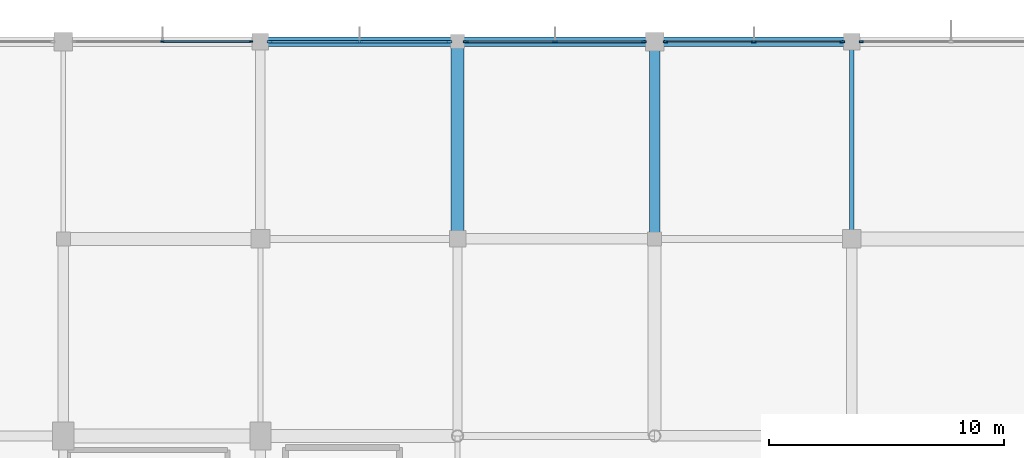
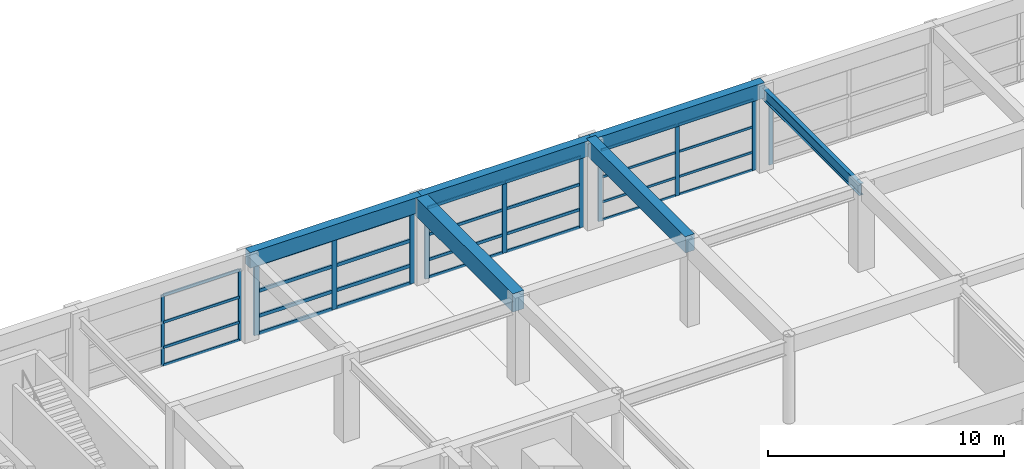
# One storey, part 32 of 62: 40 members, 6 beams, 5 elements without a shape of their own.
"""IFC4 building model written with IfcOpenShell, lengths in metres."""

from ifc_helpers import new_model, si_unit, direction, frame, origin, origin_2d, place, context, subcontext, project, spatial, rectangle, i_section, extrude, material, material_profile, profile_set, type_object, element, aggregate, save


model = new_model("IFC4")

# Units and contexts
model_context = context("Model", 3, precision=1e-05, world=origin(), true_north=direction((0.0, 1.0)))
body_context = subcontext(model_context, "Body", "Model", "MODEL_VIEW")
ifc_project = project(units=[si_unit("LENGTHUNIT", "METRE"), si_unit("AREAUNIT", "SQUARE_METRE"), si_unit("VOLUMEUNIT", "CUBIC_METRE"), si_unit("PLANEANGLEUNIT", "RADIAN"), si_unit("MASSUNIT", "GRAM", prefix="KILO")], contexts=[model_context])

# Site, building, storey
site_placement = place(None, origin())
site = spatial("IfcSite", under=ifc_project, at=site_placement, CompositionType="ELEMENT")
building_placement = place(site_placement, origin())
building = spatial("IfcBuilding", under=site, at=building_placement, Name="Xuanlan Plaza Opera House", CompositionType="ELEMENT")
storey_placement = place(building_placement, frame((0.0, 0.0, 14.39990234375)))
storey = spatial("IfcBuildingStorey", under=building, at=storey_placement, Name="L03", CompositionType="ELEMENT", Elevation=14.39990234375)

# Curtain wall, members
ifc_material_1 = material(Name="Anodised Aluminium 6063-T6 and Low-E Glass", Category="aluminium")
curtain_wall_type_1 = type_object("IfcCurtainWallType", Name="ENV-CW-CW-05", PredefinedType="USERDEFINED", material=ifc_material_1)
curtain_wall_1_placement = place(storey_placement, origin())
curtain_wall_1 = element("IfcCurtainWall", 1, at=curtain_wall_1_placement, inside=storey, type_object=curtain_wall_type_1, Name="Acoustic Glazed Wall L03-036", ObjectType="ACOUSTIC GLAZED WALL", PredefinedType="USERDEFINED")
ifc_material_2 = material(Name="Anodised Aluminium 6063-T6", Category="aluminium")
ifc_material_profile_1 = material_profile(ifc_material_2, rectangle(XDim=0.06494140625, YDim=0.159912109375, at=origin_2d()), Name="ALU-M 65x160")
ifc_profile_set_1 = profile_set([ifc_material_profile_1], Name="Anodised Aluminium 6063-T6")
member_type_1 = type_object("IfcMemberType", Name="ENV-CWM-01", PredefinedType="MULLION", material=ifc_profile_set_1)
member_1_placement = place(storey_placement, frame((100.3974609375, 100.800048828125, 0.0), z_axis=(0.0, 0.0, 1.0), x_axis=(0.0, -1.0, 0.0)))
member_1 = element("IfcMember", 2, at=member_1_placement, type_object=member_type_1, Name="CW-05 mullion 1", PredefinedType="MULLION", context=body_context, shape_type="SweptSolid", body=[
    extrude(rectangle(XDim=0.06494140625, YDim=0.159912109375, at=origin_2d()), origin(), (0.0, 0.0, 1.0), 3.68017578125),
])
member_2_placement = place(storey_placement, frame((96.625, 100.800048828125, 0.0), z_axis=(0.0, 0.0, 1.0), x_axis=(0.0, -1.0, 0.0)))
member_2 = element("IfcMember", 3, at=member_2_placement, type_object=member_type_1, Name="CW-05 mullion 2", PredefinedType="MULLION", context=body_context, shape_type="SweptSolid", body=[
    extrude(rectangle(XDim=0.06494140625, YDim=0.159912109375, at=origin_2d()), origin(), (0.0, 0.0, 1.0), 3.68017578125),
])

# Curtain wall, member
curtain_wall_2_placement = place(storey_placement, origin())
curtain_wall_2 = element("IfcCurtainWall", 4, at=curtain_wall_2_placement, inside=storey, type_object=curtain_wall_type_1, Name="Acoustic Glazed Wall L03-032", ObjectType="ACOUSTIC GLAZED WALL", PredefinedType="USERDEFINED")
ifc_material_profile_2 = material_profile(ifc_material_2, rectangle(XDim=0.070068359375, YDim=0.179931640625, at=origin_2d()), Name="ALU-M 70x180")
ifc_profile_set_2 = profile_set([ifc_material_profile_2], Name="Anodised Aluminium 6063-T6")
member_type_2 = type_object("IfcMemberType", Name="ENV-CWM-02", PredefinedType="MULLION", material=ifc_profile_set_2)
member_3_placement = place(storey_placement, frame((126.405029296875, 100.800048828125, 0.0), z_axis=(0.0, 0.0, 1.0), x_axis=(0.0, -1.0, 0.0)))
member_3 = element("IfcMember", 5, at=member_3_placement, type_object=member_type_2, Name="CW-05 mullion 3", PredefinedType="MULLION", context=body_context, shape_type="SweptSolid", body=[
    extrude(rectangle(XDim=0.070068359375, YDim=0.179931640625, at=origin_2d()), origin(), (0.0, 0.0, 1.0), 3.68017578125),
])
aggregate(curtain_wall_2, [member_3])

# Curtain wall, members
curtain_wall_type_2 = type_object("IfcCurtainWallType", Name="ENV-CW-CW-06", PredefinedType="USERDEFINED", material=ifc_material_1)
curtain_wall_3_placement = place(storey_placement, origin())
curtain_wall_3 = element("IfcCurtainWall", 6, at=curtain_wall_3_placement, inside=storey, type_object=curtain_wall_type_2, Name="Acoustic Glazed Wall L03-033", ObjectType="ACOUSTIC GLAZED WALL", PredefinedType="USERDEFINED")
ifc_material_profile_3 = material_profile(ifc_material_2, rectangle(XDim=0.074951171875, YDim=0.199951171875, at=origin_2d()), Name="ALU-M 75x200")
ifc_profile_set_3 = profile_set([ifc_material_profile_3], Name="Anodised Aluminium 6063-T6")
member_type_3 = type_object("IfcMemberType", Name="ENV-CWM-03", PredefinedType="MULLION", material=ifc_profile_set_3)
member_4_placement = place(storey_placement, frame((125.592529296875, 100.800048828125, 0.0), z_axis=(0.0, 0.0, 1.0), x_axis=(0.0, -1.0, 0.0)))
member_4 = element("IfcMember", 7, at=member_4_placement, type_object=member_type_3, Name="CW-06 mullion 1", PredefinedType="MULLION", context=body_context, shape_type="SweptSolid", body=[
    extrude(rectangle(XDim=0.074951171875, YDim=0.199951171875, at=origin_2d()), origin(), (0.0, 0.0, 1.0), 3.68017578125),
])
member_5_placement = place(storey_placement, frame((121.824951171875, 100.800048828125, 0.0), z_axis=(0.0, 0.0, 1.0), x_axis=(0.0, -1.0, 0.0)))
member_5 = element("IfcMember", 8, at=member_5_placement, type_object=member_type_3, Name="CW-06 mullion 2", PredefinedType="MULLION", context=body_context, shape_type="SweptSolid", body=[
    extrude(rectangle(XDim=0.074951171875, YDim=0.199951171875, at=origin_2d()), origin(), (0.0, 0.0, 1.0), 3.68017578125),
])
member_6_placement = place(storey_placement, frame((118.0576171875, 100.800048828125, 0.0), z_axis=(0.0, 0.0, 1.0), x_axis=(0.0, -1.0, 0.0)))
member_6 = element("IfcMember", 9, at=member_6_placement, type_object=member_type_3, Name="CW-06 mullion 3", PredefinedType="MULLION", context=body_context, shape_type="SweptSolid", body=[
    extrude(rectangle(XDim=0.074951171875, YDim=0.199951171875, at=origin_2d()), origin(), (0.0, 0.0, 1.0), 3.68017578125),
])

curtain_wall_4_placement = place(storey_placement, origin())
curtain_wall_4 = element("IfcCurtainWall", 10, at=curtain_wall_4_placement, inside=storey, type_object=curtain_wall_type_1, Name="Acoustic Glazed Wall L03-034", ObjectType="ACOUSTIC GLAZED WALL", PredefinedType="USERDEFINED")
ifc_material_profile_4 = material_profile(ifc_material_2, rectangle(XDim=0.080078125, YDim=0.219970703125, at=origin_2d()), Name="ALU-M 80x220")
ifc_profile_set_4 = profile_set([ifc_material_profile_4], Name="Anodised Aluminium 6063-T6")
member_type_4 = type_object("IfcMemberType", Name="ENV-CWM-04", PredefinedType="MULLION", material=ifc_profile_set_4)
member_7_placement = place(storey_placement, frame((117.139892578125, 100.800048828125, 0.0), z_axis=(0.0, 0.0, 1.0), x_axis=(0.0, -1.0, 0.0)))
member_7 = element("IfcMember", 11, at=member_7_placement, type_object=member_type_4, Name="CW-05 mullion 1", PredefinedType="MULLION", context=body_context, shape_type="SweptSolid", body=[
    extrude(rectangle(XDim=0.080078125, YDim=0.219970703125, at=origin_2d()), origin(), (0.0, 0.0, 1.0), 3.68017578125),
])
member_8_placement = place(storey_placement, frame((113.35009765625, 100.800048828125, 0.0), z_axis=(0.0, 0.0, 1.0), x_axis=(0.0, -1.0, 0.0)))
member_8 = element("IfcMember", 12, at=member_8_placement, type_object=member_type_4, Name="CW-05 mullion 2", PredefinedType="MULLION", context=body_context, shape_type="SweptSolid", body=[
    extrude(rectangle(XDim=0.080078125, YDim=0.219970703125, at=origin_2d()), origin(), (0.0, 0.0, 1.0), 3.68017578125),
])
member_9_placement = place(storey_placement, frame((109.56005859375, 100.800048828125, 0.0), z_axis=(0.0, 0.0, 1.0), x_axis=(0.0, -1.0, 0.0)))
member_9 = element("IfcMember", 13, at=member_9_placement, type_object=member_type_4, Name="CW-05 mullion 3", PredefinedType="MULLION", context=body_context, shape_type="SweptSolid", body=[
    extrude(rectangle(XDim=0.080078125, YDim=0.219970703125, at=origin_2d()), origin(), (0.0, 0.0, 1.0), 3.68017578125),
])

curtain_wall_5_placement = place(storey_placement, origin())
curtain_wall_5 = element("IfcCurtainWall", 14, at=curtain_wall_5_placement, inside=storey, type_object=curtain_wall_type_2, Name="Acoustic Glazed Wall L03-035", ObjectType="ACOUSTIC GLAZED WALL", PredefinedType="USERDEFINED")
ifc_material_profile_5 = material_profile(ifc_material_2, rectangle(XDim=0.090087890625, YDim=0.25, at=origin_2d()), Name="ALU-M 90x250")
ifc_profile_set_5 = profile_set([ifc_material_profile_5], Name="Anodised Aluminium 6063-T6")
member_type_5 = type_object("IfcMemberType", Name="ENV-CWM-05", PredefinedType="MULLION", material=ifc_profile_set_5)
member_10_placement = place(storey_placement, frame((108.8349609375, 100.800048828125, 0.0), z_axis=(0.0, 0.0, 1.0), x_axis=(0.0, -1.0, 0.0)))
member_10 = element("IfcMember", 15, at=member_10_placement, type_object=member_type_5, Name="CW-06 mullion 1", PredefinedType="MULLION", context=body_context, shape_type="SweptSolid", body=[
    extrude(rectangle(XDim=0.090087890625, YDim=0.25, at=origin_2d()), origin(), (0.0, 0.0, 1.0), 3.68017578125),
])
member_11_placement = place(storey_placement, frame((105.02490234375, 100.800048828125, 0.0), z_axis=(0.0, 0.0, 1.0), x_axis=(0.0, -1.0, 0.0)))
member_11 = element("IfcMember", 16, at=member_11_placement, type_object=member_type_5, Name="CW-06 mullion 2", PredefinedType="MULLION", context=body_context, shape_type="SweptSolid", body=[
    extrude(rectangle(XDim=0.090087890625, YDim=0.25, at=origin_2d()), origin(), (0.0, 0.0, 1.0), 3.68017578125),
])
member_12_placement = place(storey_placement, frame((101.215087890625, 100.800048828125, 0.0), z_axis=(0.0, 0.0, 1.0), x_axis=(0.0, -1.0, 0.0)))
member_12 = element("IfcMember", 17, at=member_12_placement, type_object=member_type_5, Name="CW-06 mullion 3", PredefinedType="MULLION", context=body_context, shape_type="SweptSolid", body=[
    extrude(rectangle(XDim=0.090087890625, YDim=0.25, at=origin_2d()), origin(), (0.0, 0.0, 1.0), 3.68017578125),
])

# Member
ifc_material_profile_6 = material_profile(ifc_material_2, rectangle(XDim=0.06494140625, YDim=0.1201171875, at=origin_2d()), Name="ALU-T 65x120")
ifc_profile_set_6 = profile_set([ifc_material_profile_6], Name="Anodised Aluminium 6063-T6")
member_type_6 = type_object("IfcMemberType", Name="ENV-CWT-01", PredefinedType="USERDEFINED", material=ifc_profile_set_6)
member_13_placement = place(storey_placement, frame((125.554931640625, 100.800048828125, 0.03271484375), z_axis=(-1.0, 0.0, 0.0), x_axis=(0.0, -1.0, 0.0)))
member_13 = element("IfcMember", 18, at=member_13_placement, type_object=member_type_6, Name="CW-06 transom 1.1", ObjectType="TRANSOM", PredefinedType="USERDEFINED", context=body_context, shape_type="SweptSolid", body=[
    extrude(rectangle(XDim=0.06494140625, YDim=0.1201171875, at=origin_2d()), origin(), (0.0, 0.0, 1.0), 3.6923828125),
])

member_14_placement = place(storey_placement, frame((125.554931640625, 100.800048828125, 0.9501953125), z_axis=(-1.0, 0.0, 0.0), x_axis=(0.0, -1.0, 0.0)))
member_14 = element("IfcMember", 19, at=member_14_placement, type_object=member_type_6, Name="CW-06 transom 1.2", ObjectType="TRANSOM", PredefinedType="USERDEFINED", context=body_context, shape_type="SweptSolid", body=[
    extrude(rectangle(XDim=0.06494140625, YDim=0.1201171875, at=origin_2d()), origin(), (0.0, 0.0, 1.0), 3.6923828125),
])

member_15_placement = place(storey_placement, frame((125.554931640625, 100.800048828125, 2.25), z_axis=(-1.0, 0.0, 0.0), x_axis=(0.0, -1.0, 0.0)))
member_15 = element("IfcMember", 20, at=member_15_placement, type_object=member_type_6, Name="CW-06 transom 1.3", ObjectType="TRANSOM", PredefinedType="USERDEFINED", context=body_context, shape_type="SweptSolid", body=[
    extrude(rectangle(XDim=0.06494140625, YDim=0.1201171875, at=origin_2d()), origin(), (0.0, 0.0, 1.0), 3.6923828125),
])

member_16_placement = place(storey_placement, frame((125.554931640625, 100.800048828125, 3.647705078125), z_axis=(-1.0, 0.0, 0.0), x_axis=(0.0, -1.0, 0.0)))
member_16 = element("IfcMember", 21, at=member_16_placement, type_object=member_type_6, Name="CW-06 transom 1.4", ObjectType="TRANSOM", PredefinedType="USERDEFINED", context=body_context, shape_type="SweptSolid", body=[
    extrude(rectangle(XDim=0.06494140625, YDim=0.1201171875, at=origin_2d()), origin(), (0.0, 0.0, 1.0), 3.6923828125),
])

member_17_placement = place(storey_placement, frame((121.78759765625, 100.800048828125, 0.03271484375), z_axis=(-1.0, 0.0, 0.0), x_axis=(0.0, -1.0, 0.0)))
member_17 = element("IfcMember", 22, at=member_17_placement, type_object=member_type_6, Name="CW-06 transom 2.1", ObjectType="TRANSOM", PredefinedType="USERDEFINED", context=body_context, shape_type="SweptSolid", body=[
    extrude(rectangle(XDim=0.06494140625, YDim=0.1201171875, at=origin_2d()), origin(), (0.0, 0.0, 1.0), 3.692626953125),
])

member_18_placement = place(storey_placement, frame((121.78759765625, 100.800048828125, 0.9501953125), z_axis=(-1.0, 0.0, 0.0), x_axis=(0.0, -1.0, 0.0)))
member_18 = element("IfcMember", 23, at=member_18_placement, type_object=member_type_6, Name="CW-06 transom 2.2", ObjectType="TRANSOM", PredefinedType="USERDEFINED", context=body_context, shape_type="SweptSolid", body=[
    extrude(rectangle(XDim=0.06494140625, YDim=0.1201171875, at=origin_2d()), origin(), (0.0, 0.0, 1.0), 3.692626953125),
])

member_19_placement = place(storey_placement, frame((121.78759765625, 100.800048828125, 2.25), z_axis=(-1.0, 0.0, 0.0), x_axis=(0.0, -1.0, 0.0)))
member_19 = element("IfcMember", 24, at=member_19_placement, type_object=member_type_6, Name="CW-06 transom 2.3", ObjectType="TRANSOM", PredefinedType="USERDEFINED", context=body_context, shape_type="SweptSolid", body=[
    extrude(rectangle(XDim=0.06494140625, YDim=0.1201171875, at=origin_2d()), origin(), (0.0, 0.0, 1.0), 3.692626953125),
])

member_20_placement = place(storey_placement, frame((121.78759765625, 100.800048828125, 3.647705078125), z_axis=(-1.0, 0.0, 0.0), x_axis=(0.0, -1.0, 0.0)))
member_20 = element("IfcMember", 25, at=member_20_placement, type_object=member_type_6, Name="CW-06 transom 2.4", ObjectType="TRANSOM", PredefinedType="USERDEFINED", context=body_context, shape_type="SweptSolid", body=[
    extrude(rectangle(XDim=0.06494140625, YDim=0.1201171875, at=origin_2d()), origin(), (0.0, 0.0, 1.0), 3.692626953125),
])

aggregate(curtain_wall_3, [member_4, member_5, member_6, member_13, member_14, member_15, member_16, member_17, member_18, member_19, member_20])

ifc_material_profile_7 = material_profile(ifc_material_2, rectangle(XDim=0.070068359375, YDim=0.135009765625, at=origin_2d()), Name="ALU-T 70x135")
ifc_profile_set_7 = profile_set([ifc_material_profile_7], Name="Anodised Aluminium 6063-T6")
member_type_7 = type_object("IfcMemberType", Name="ENV-CWT-02", PredefinedType="USERDEFINED", material=ifc_profile_set_7)
member_21_placement = place(storey_placement, frame((100.364990234375, 100.800048828125, 0.03515625), z_axis=(-1.0, 0.0, 0.0), x_axis=(0.0, -1.0, 0.0)))
member_21 = element("IfcMember", 26, at=member_21_placement, type_object=member_type_7, Name="CW-05 transom 1.1", ObjectType="TRANSOM", PredefinedType="USERDEFINED", context=body_context, shape_type="SweptSolid", body=[
    extrude(rectangle(XDim=0.070068359375, YDim=0.135009765625, at=origin_2d()), origin(), (0.0, 0.0, 1.0), 3.70751953125),
])

member_22_placement = place(storey_placement, frame((100.364990234375, 100.800048828125, 0.9501953125), z_axis=(-1.0, 0.0, 0.0), x_axis=(0.0, -1.0, 0.0)))
member_22 = element("IfcMember", 27, at=member_22_placement, type_object=member_type_7, Name="CW-05 transom 1.2", ObjectType="TRANSOM", PredefinedType="USERDEFINED", context=body_context, shape_type="SweptSolid", body=[
    extrude(rectangle(XDim=0.070068359375, YDim=0.135009765625, at=origin_2d()), origin(), (0.0, 0.0, 1.0), 3.70751953125),
])

member_23_placement = place(storey_placement, frame((100.364990234375, 100.800048828125, 2.25), z_axis=(-1.0, 0.0, 0.0), x_axis=(0.0, -1.0, 0.0)))
member_23 = element("IfcMember", 28, at=member_23_placement, type_object=member_type_7, Name="CW-05 transom 1.3", ObjectType="TRANSOM", PredefinedType="USERDEFINED", context=body_context, shape_type="SweptSolid", body=[
    extrude(rectangle(XDim=0.070068359375, YDim=0.135009765625, at=origin_2d()), origin(), (0.0, 0.0, 1.0), 3.70751953125),
])

member_24_placement = place(storey_placement, frame((100.364990234375, 100.800048828125, 3.64501953125), z_axis=(-1.0, 0.0, 0.0), x_axis=(0.0, -1.0, 0.0)))
member_24 = element("IfcMember", 29, at=member_24_placement, type_object=member_type_7, Name="CW-05 transom 1.4", ObjectType="TRANSOM", PredefinedType="USERDEFINED", context=body_context, shape_type="SweptSolid", body=[
    extrude(rectangle(XDim=0.070068359375, YDim=0.135009765625, at=origin_2d()), origin(), (0.0, 0.0, 1.0), 3.70751953125),
])

aggregate(curtain_wall_1, [member_1, member_2, member_21, member_22, member_23, member_24])

ifc_material_profile_8 = material_profile(ifc_material_2, rectangle(XDim=0.074951171875, YDim=0.14990234375, at=origin_2d()), Name="ALU-T 75x150")
ifc_profile_set_8 = profile_set([ifc_material_profile_8], Name="Anodised Aluminium 6063-T6")
member_type_8 = type_object("IfcMemberType", Name="ENV-CWT-03", PredefinedType="USERDEFINED", material=ifc_profile_set_8)
member_25_placement = place(storey_placement, frame((117.10009765625, 100.800048828125, 0.03759765625), z_axis=(-1.0, 0.0, 0.0), x_axis=(0.0, -1.0, 0.0)))
member_25 = element("IfcMember", 30, at=member_25_placement, type_object=member_type_8, Name="CW-05 transom 1.1", ObjectType="TRANSOM", PredefinedType="USERDEFINED", context=body_context, shape_type="SweptSolid", body=[
    extrude(rectangle(XDim=0.074951171875, YDim=0.14990234375, at=origin_2d()), origin(), (0.0, 0.0, 1.0), 3.710205078125),
])

member_26_placement = place(storey_placement, frame((117.10009765625, 100.800048828125, 0.9501953125), z_axis=(-1.0, 0.0, 0.0), x_axis=(0.0, -1.0, 0.0)))
member_26 = element("IfcMember", 31, at=member_26_placement, type_object=member_type_8, Name="CW-05 transom 1.2", ObjectType="TRANSOM", PredefinedType="USERDEFINED", context=body_context, shape_type="SweptSolid", body=[
    extrude(rectangle(XDim=0.074951171875, YDim=0.14990234375, at=origin_2d()), origin(), (0.0, 0.0, 1.0), 3.710205078125),
])

member_27_placement = place(storey_placement, frame((117.10009765625, 100.800048828125, 2.25), z_axis=(-1.0, 0.0, 0.0), x_axis=(0.0, -1.0, 0.0)))
member_27 = element("IfcMember", 32, at=member_27_placement, type_object=member_type_8, Name="CW-05 transom 1.3", ObjectType="TRANSOM", PredefinedType="USERDEFINED", context=body_context, shape_type="SweptSolid", body=[
    extrude(rectangle(XDim=0.074951171875, YDim=0.14990234375, at=origin_2d()), origin(), (0.0, 0.0, 1.0), 3.710205078125),
])

member_28_placement = place(storey_placement, frame((117.10009765625, 100.800048828125, 3.642578125), z_axis=(-1.0, 0.0, 0.0), x_axis=(0.0, -1.0, 0.0)))
member_28 = element("IfcMember", 33, at=member_28_placement, type_object=member_type_8, Name="CW-05 transom 1.4", ObjectType="TRANSOM", PredefinedType="USERDEFINED", context=body_context, shape_type="SweptSolid", body=[
    extrude(rectangle(XDim=0.074951171875, YDim=0.14990234375, at=origin_2d()), origin(), (0.0, 0.0, 1.0), 3.710205078125),
])

member_29_placement = place(storey_placement, frame((113.31005859375, 100.800048828125, 0.03759765625), z_axis=(-1.0, 0.0, 0.0), x_axis=(0.0, -1.0, 0.0)))
member_29 = element("IfcMember", 34, at=member_29_placement, type_object=member_type_8, Name="CW-05 transom 2.1", ObjectType="TRANSOM", PredefinedType="USERDEFINED", context=body_context, shape_type="SweptSolid", body=[
    extrude(rectangle(XDim=0.074951171875, YDim=0.14990234375, at=origin_2d()), origin(), (0.0, 0.0, 1.0), 3.7099609375),
])

member_30_placement = place(storey_placement, frame((113.31005859375, 100.800048828125, 0.9501953125), z_axis=(-1.0, 0.0, 0.0), x_axis=(0.0, -1.0, 0.0)))
member_30 = element("IfcMember", 35, at=member_30_placement, type_object=member_type_8, Name="CW-05 transom 2.2", ObjectType="TRANSOM", PredefinedType="USERDEFINED", context=body_context, shape_type="SweptSolid", body=[
    extrude(rectangle(XDim=0.074951171875, YDim=0.14990234375, at=origin_2d()), origin(), (0.0, 0.0, 1.0), 3.7099609375),
])

member_31_placement = place(storey_placement, frame((113.31005859375, 100.800048828125, 2.25), z_axis=(-1.0, 0.0, 0.0), x_axis=(0.0, -1.0, 0.0)))
member_31 = element("IfcMember", 36, at=member_31_placement, type_object=member_type_8, Name="CW-05 transom 2.3", ObjectType="TRANSOM", PredefinedType="USERDEFINED", context=body_context, shape_type="SweptSolid", body=[
    extrude(rectangle(XDim=0.074951171875, YDim=0.14990234375, at=origin_2d()), origin(), (0.0, 0.0, 1.0), 3.7099609375),
])

member_32_placement = place(storey_placement, frame((113.31005859375, 100.800048828125, 3.642578125), z_axis=(-1.0, 0.0, 0.0), x_axis=(0.0, -1.0, 0.0)))
member_32 = element("IfcMember", 37, at=member_32_placement, type_object=member_type_8, Name="CW-05 transom 2.4", ObjectType="TRANSOM", PredefinedType="USERDEFINED", context=body_context, shape_type="SweptSolid", body=[
    extrude(rectangle(XDim=0.074951171875, YDim=0.14990234375, at=origin_2d()), origin(), (0.0, 0.0, 1.0), 3.7099609375),
])

aggregate(curtain_wall_4, [member_7, member_8, member_9, member_25, member_26, member_27, member_28, member_29, member_30, member_31, member_32])

ifc_material_profile_9 = material_profile(ifc_material_2, rectangle(XDim=0.090087890625, YDim=0.179931640625, at=origin_2d()), Name="ALU-T 90x180")
ifc_profile_set_9 = profile_set([ifc_material_profile_9], Name="Anodised Aluminium 6063-T6")
member_type_9 = type_object("IfcMemberType", Name="ENV-CWT-05", PredefinedType="USERDEFINED", material=ifc_profile_set_9)
member_33_placement = place(storey_placement, frame((108.7900390625, 100.800048828125, 0.045166015625), z_axis=(-1.0, 0.0, 0.0), x_axis=(0.0, -1.0, 0.0)))
member_33 = element("IfcMember", 38, at=member_33_placement, type_object=member_type_9, Name="CW-06 transom 1.1", ObjectType="TRANSOM", PredefinedType="USERDEFINED", context=body_context, shape_type="SweptSolid", body=[
    extrude(rectangle(XDim=0.090087890625, YDim=0.179931640625, at=origin_2d()), origin(), (0.0, 0.0, 1.0), 3.719970703125),
])

member_34_placement = place(storey_placement, frame((108.7900390625, 100.800048828125, 0.9501953125), z_axis=(-1.0, 0.0, 0.0), x_axis=(0.0, -1.0, 0.0)))
member_34 = element("IfcMember", 39, at=member_34_placement, type_object=member_type_9, Name="CW-06 transom 1.2", ObjectType="TRANSOM", PredefinedType="USERDEFINED", context=body_context, shape_type="SweptSolid", body=[
    extrude(rectangle(XDim=0.090087890625, YDim=0.179931640625, at=origin_2d()), origin(), (0.0, 0.0, 1.0), 3.719970703125),
])

member_35_placement = place(storey_placement, frame((108.7900390625, 100.800048828125, 2.25), z_axis=(-1.0, 0.0, 0.0), x_axis=(0.0, -1.0, 0.0)))
member_35 = element("IfcMember", 40, at=member_35_placement, type_object=member_type_9, Name="CW-06 transom 1.3", ObjectType="TRANSOM", PredefinedType="USERDEFINED", context=body_context, shape_type="SweptSolid", body=[
    extrude(rectangle(XDim=0.090087890625, YDim=0.179931640625, at=origin_2d()), origin(), (0.0, 0.0, 1.0), 3.719970703125),
])

member_36_placement = place(storey_placement, frame((108.7900390625, 100.800048828125, 3.635009765625), z_axis=(-1.0, 0.0, 0.0), x_axis=(0.0, -1.0, 0.0)))
member_36 = element("IfcMember", 41, at=member_36_placement, type_object=member_type_9, Name="CW-06 transom 1.4", ObjectType="TRANSOM", PredefinedType="USERDEFINED", context=body_context, shape_type="SweptSolid", body=[
    extrude(rectangle(XDim=0.090087890625, YDim=0.179931640625, at=origin_2d()), origin(), (0.0, 0.0, 1.0), 3.719970703125),
])

member_37_placement = place(storey_placement, frame((104.97998046875, 100.800048828125, 0.045166015625), z_axis=(-1.0, 0.0, 0.0), x_axis=(0.0, -1.0, 0.0)))
member_37 = element("IfcMember", 42, at=member_37_placement, type_object=member_type_9, Name="CW-06 transom 2.1", ObjectType="TRANSOM", PredefinedType="USERDEFINED", context=body_context, shape_type="SweptSolid", body=[
    extrude(rectangle(XDim=0.090087890625, YDim=0.179931640625, at=origin_2d()), origin(), (0.0, 0.0, 1.0), 3.719970703125),
])

member_38_placement = place(storey_placement, frame((104.97998046875, 100.800048828125, 0.9501953125), z_axis=(-1.0, 0.0, 0.0), x_axis=(0.0, -1.0, 0.0)))
member_38 = element("IfcMember", 43, at=member_38_placement, type_object=member_type_9, Name="CW-06 transom 2.2", ObjectType="TRANSOM", PredefinedType="USERDEFINED", context=body_context, shape_type="SweptSolid", body=[
    extrude(rectangle(XDim=0.090087890625, YDim=0.179931640625, at=origin_2d()), origin(), (0.0, 0.0, 1.0), 3.719970703125),
])

member_39_placement = place(storey_placement, frame((104.97998046875, 100.800048828125, 2.25), z_axis=(-1.0, 0.0, 0.0), x_axis=(0.0, -1.0, 0.0)))
member_39 = element("IfcMember", 44, at=member_39_placement, type_object=member_type_9, Name="CW-06 transom 2.3", ObjectType="TRANSOM", PredefinedType="USERDEFINED", context=body_context, shape_type="SweptSolid", body=[
    extrude(rectangle(XDim=0.090087890625, YDim=0.179931640625, at=origin_2d()), origin(), (0.0, 0.0, 1.0), 3.719970703125),
])

member_40_placement = place(storey_placement, frame((104.97998046875, 100.800048828125, 3.635009765625), z_axis=(-1.0, 0.0, 0.0), x_axis=(0.0, -1.0, 0.0)))
member_40 = element("IfcMember", 45, at=member_40_placement, type_object=member_type_9, Name="CW-06 transom 2.4", ObjectType="TRANSOM", PredefinedType="USERDEFINED", context=body_context, shape_type="SweptSolid", body=[
    extrude(rectangle(XDim=0.090087890625, YDim=0.179931640625, at=origin_2d()), origin(), (0.0, 0.0, 1.0), 3.719970703125),
])

aggregate(curtain_wall_5, [member_10, member_11, member_12, member_33, member_34, member_35, member_36, member_37, member_38, member_39, member_40])

# Beams
ifc_material_3 = material(Name="Concrete C50", Category="concrete")
ifc_material_profile_10 = material_profile(ifc_material_3, rectangle(XDim=0.550048828125, YDim=0.949951171875, at=origin_2d()), Name="RC-BM 550x950")
ifc_profile_set_10 = profile_set([ifc_material_profile_10], Name="Concrete C50")
beam_type_1 = type_object("IfcBeamType", Name="STR-BM-B-02", PredefinedType="BEAM", material=ifc_profile_set_10)
beam_1_placement = place(storey_placement, frame((109.199951171875, 92.39990234375, 4.025146484375), z_axis=(0.0, 1.0, 0.0), x_axis=(-1.0, 0.0, 0.0)))
element("IfcBeam", 46, at=beam_1_placement, inside=storey, type_object=beam_type_1, Name="Grid Beam Y L03 14/L-M", PredefinedType="BEAM", context=body_context, shape_type="SweptSolid", body=[
    extrude(rectangle(XDim=0.550048828125, YDim=0.949951171875, at=origin_2d()), origin(), (0.0, 0.0, 1.0), 8.400146484375),
])
ifc_material_4 = material(Name="Concrete C40", Category="concrete")
ifc_material_profile_11 = material_profile(ifc_material_4, rectangle(XDim=0.449951171875, YDim=0.85009765625, at=origin_2d()), Name="RC-BM 450x850")
ifc_profile_set_11 = profile_set([ifc_material_profile_11], Name="Concrete C40")
beam_type_2 = type_object("IfcBeamType", Name="STR-BM-B-04", PredefinedType="BEAM", material=ifc_profile_set_11)
beam_2_placement = place(storey_placement, frame((117.60009765625, 92.39990234375, 4.0751953125), z_axis=(0.0, 1.0, 0.0), x_axis=(-1.0, 0.0, 0.0)))
element("IfcBeam", 47, at=beam_2_placement, inside=storey, type_object=beam_type_2, Name="Grid Beam Y L03 15/L-M", PredefinedType="BEAM", context=body_context, shape_type="SweptSolid", body=[
    extrude(rectangle(XDim=0.449951171875, YDim=0.85009765625, at=origin_2d()), origin(), (0.0, 0.0, 1.0), 8.400146484375),
])
ifc_material_5 = material(Name="Steel Q355B", Category="steel")
ifc_material_profile_12 = material_profile(ifc_material_5, i_section(OverallWidth=0.199951171875, OverallDepth=0.60009765625, WebThickness=0.010986328125, FlangeThickness=0.01708984375, FilletRadius=0.02197265625, at=origin_2d()), Name="HN 600x200x11x17")
ifc_profile_set_12 = profile_set([ifc_material_profile_12], Name="Steel Q355B")
beam_type_3 = type_object("IfcBeamType", Name="STR-BM-SB-04", PredefinedType="BEAM", material=ifc_profile_set_12)
beam_3_placement = place(storey_placement, frame((126.0, 92.39990234375, 3.93505859375), z_axis=(0.0, 1.0, 0.0), x_axis=(-1.0, 0.0, 0.0)))
element("IfcBeam", 48, at=beam_3_placement, inside=storey, type_object=beam_type_3, Name="Grid Beam Y L03 16/L-M", PredefinedType="BEAM", context=body_context, shape_type="SweptSolid", body=[
    extrude(i_section(OverallWidth=0.199951171875, OverallDepth=0.60009765625, WebThickness=0.010986328125, FlangeThickness=0.01708984375, FilletRadius=0.02197265625, at=origin_2d()), origin(), (0.0, 0.0, 1.0), 8.400146484375),
])
ifc_material_profile_13 = material_profile(ifc_material_4, rectangle(XDim=0.39990234375, YDim=0.800048828125, at=origin_2d()), Name="RC-SPD 400x800")
ifc_profile_set_13 = profile_set([ifc_material_profile_13], Name="Concrete C40")
beam_type_4 = type_object("IfcBeamType", Name="STR-BM-SP-01", PredefinedType="SPANDREL", material=ifc_profile_set_13)
beam_4_placement = place(storey_placement, frame((100.800048828125, 100.800048828125, 4.10009765625), z_axis=(1.0, 0.0, 0.0), x_axis=(0.0, 1.0, 0.0)))
element("IfcBeam", 49, at=beam_4_placement, inside=storey, type_object=beam_type_4, Name="Grid Beam X L03 13-14/M", PredefinedType="SPANDREL", context=body_context, shape_type="SweptSolid", body=[
    extrude(rectangle(XDim=0.39990234375, YDim=0.800048828125, at=origin_2d()), origin(), (0.0, 0.0, 1.0), 8.39990234375),
])
beam_5_placement = place(storey_placement, frame((109.199951171875, 100.800048828125, 4.10009765625), z_axis=(1.0, 0.0, 0.0), x_axis=(0.0, 1.0, 0.0)))
element("IfcBeam", 50, at=beam_5_placement, inside=storey, type_object=beam_type_4, Name="Grid Beam X L03 14-15/M", PredefinedType="SPANDREL", context=body_context, shape_type="SweptSolid", body=[
    extrude(rectangle(XDim=0.39990234375, YDim=0.800048828125, at=origin_2d()), origin(), (0.0, 0.0, 1.0), 8.400146484375),
])
beam_6_placement = place(storey_placement, frame((117.60009765625, 100.800048828125, 4.10009765625), z_axis=(1.0, 0.0, 0.0), x_axis=(0.0, 1.0, 0.0)))
element("IfcBeam", 51, at=beam_6_placement, inside=storey, type_object=beam_type_4, Name="Grid Beam X L03 15-16/M", PredefinedType="SPANDREL", context=body_context, shape_type="SweptSolid", body=[
    extrude(rectangle(XDim=0.39990234375, YDim=0.800048828125, at=origin_2d()), origin(), (0.0, 0.0, 1.0), 8.39990234375),
])

save(model, "model.ifc")
